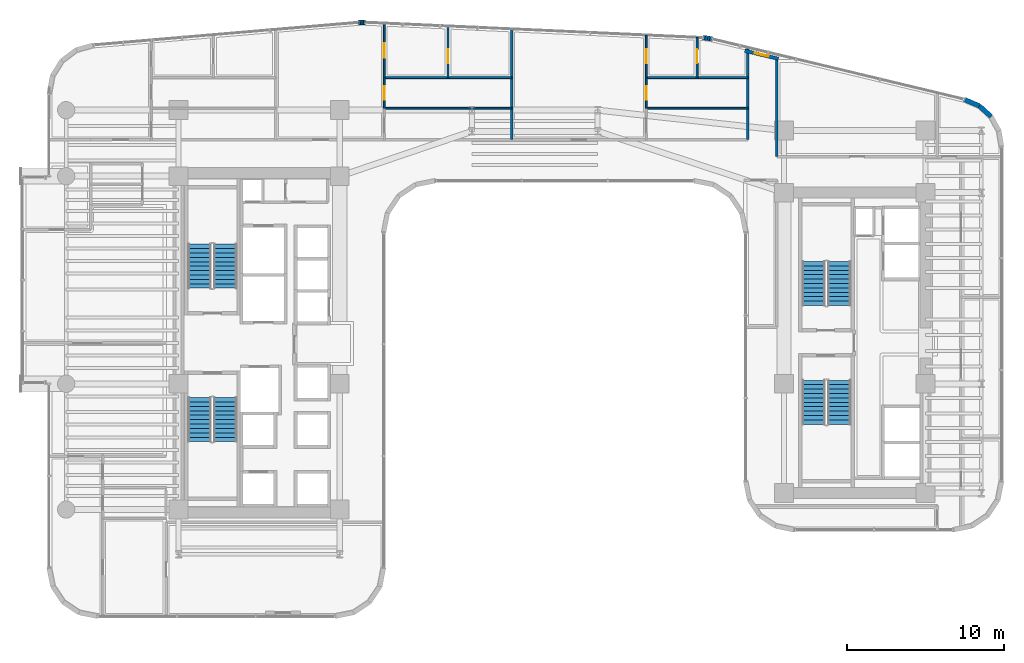
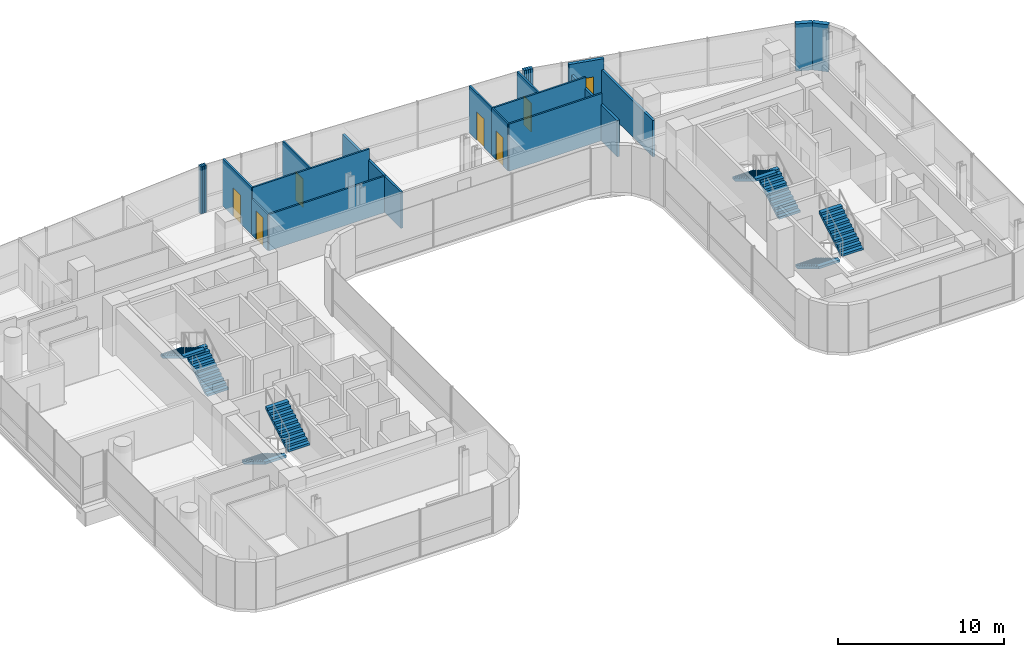
# One storey, part 30 of 35: 24 walls, 8 stair flights, 6 doors, 1 window, 7 openings, 4 elements without a shape of their own.
"""IFC4 building model written with IfcOpenShell, lengths in metres."""

from ifc_helpers import new_model, si_unit, direction, frame, frame_2d, origin, place, context, subcontext, project, spatial, polyline, rectangle, outline, extrude, material, layer, layer_set, type_object, element, fill, aggregate, save


model = new_model("IFC4")

# Units and contexts
model_context = context("Model", 3, precision=1e-05, world=origin(), true_north=direction((0.0, 1.0)))
body_context = subcontext(model_context, "Body", "Model", "MODEL_VIEW")
ifc_project = project(units=[si_unit("LENGTHUNIT", "METRE"), si_unit("AREAUNIT", "SQUARE_METRE"), si_unit("VOLUMEUNIT", "CUBIC_METRE"), si_unit("PLANEANGLEUNIT", "RADIAN"), si_unit("MASSUNIT", "GRAM", prefix="KILO")], contexts=[model_context])

# Site, building, storey
site_placement = place(None, origin())
site = spatial("IfcSite", under=ifc_project, at=site_placement, CompositionType="ELEMENT")
building_placement = place(site_placement, origin())
building = spatial("IfcBuilding", under=site, at=building_placement, Name="Valdorenza Pilgrim Sanctuary Tower", CompositionType="ELEMENT")
storey_placement = place(building_placement, frame((0.0, 0.0, 105.699951171875)))
storey = spatial("IfcBuildingStorey", under=building, at=storey_placement, Name="L26", CompositionType="ELEMENT", Elevation=105.699951171875)

# Walls
ifc_material_1 = material(Name="Acoustic twin-stud gypsum partition", Category="gypsum")
ifc_layer_1 = layer(ifc_material_1, 0.159912109375, Name="Acoustic twin-stud gypsum partition")
ifc_layer_set_1 = layer_set([ifc_layer_1], Name="Acoustic twin-stud gypsum partition")
wall_type_1 = type_object("IfcWallType", Name="WAL-COR-160", PredefinedType="PARTITIONING", material=ifc_layer_set_1)
wall_1_placement = place(storey_placement, frame((13.550048828125, 12.919921875, 0.0), z_axis=(0.0, 0.0, 1.0), x_axis=(0.0, 1.0, 0.0)))
element("IfcWall", 1, at=wall_1_placement, inside=storey, type_object=wall_type_1, Name="L26 North Band East Closure", PredefinedType="PARTITIONING", context=body_context, shape_type="SweptSolid", body=[
    extrude(rectangle(XDim=5.856689453125, YDim=0.159912109375, at=frame_2d((2.92822265625, 0.0))), origin(), (0.0, 0.0, 1.0), 2.666015625),
])
wall_2_placement = place(storey_placement, frame((15.39990234375, 11.85009765625, 0.0), z_axis=(0.0, 0.0, 1.0), x_axis=(0.0, 1.0, 0.0)))
element("IfcWall", 2, at=wall_2_placement, inside=storey, type_object=wall_type_1, Name="L26 Wing B North West Wall", PredefinedType="PARTITIONING", context=body_context, shape_type="SweptSolid", body=[
    extrude(rectangle(XDim=6.14990234375, YDim=0.159912109375, at=frame_2d((3.074951171875, 0.0))), origin(), (0.0, 0.0, 1.0), 2.666015625),
])
ifc_material_2 = material(Name="Honed travertine limestone", Category="masonry")
ifc_layer_2 = layer(ifc_material_2, 0.300048828125, Name="Honed travertine limestone")
ifc_layer_set_2 = layer_set([ifc_layer_2], Name="Honed travertine limestone")
wall_type_2 = type_object("IfcWallType", Name="WAL-EXT-300", PredefinedType="SOLIDWALL", material=ifc_layer_set_2)
wall_3_placement = place(storey_placement, frame((-11.199462890625, 20.37255859375, 0.0), z_axis=(0.0, 0.0, 1.0), x_axis=(0.997567332166, 0.069709524416, 0.0)))
element("IfcWall", 3, at=wall_3_placement, inside=storey, type_object=wall_type_2, Name="L26 Rounded Wind-Corner Stone Pier 7", PredefinedType="SOLIDWALL", context=body_context, shape_type="SweptSolid", body=[
    extrude(rectangle(XDim=0.1015625, YDim=0.300048828125, at=frame_2d((0.05078125, 0.0))), origin(), (0.0, 0.0, 1.0), 3.4599609375),
])
wall_4_placement = place(storey_placement, frame((-11.09814453125, 20.379638671875, 0.0), z_axis=(0.0, 0.0, 1.0), x_axis=(0.999334672785, 0.03647206835, 0.0)))
element("IfcWall", 4, at=wall_4_placement, inside=storey, type_object=wall_type_2, Name="L26 Rounded Wind-Corner Stone Pier 8", PredefinedType="SOLIDWALL", context=body_context, shape_type="SweptSolid", body=[
    extrude(rectangle(XDim=0.100341796875, YDim=0.300048828125, at=frame_2d((0.05029296875, 0.0))), origin(), (0.0, 0.0, 1.0), 3.4599609375),
])
wall_5_placement = place(storey_placement, frame((-10.997802734375, 20.38330078125, 0.0), z_axis=(0.0, 0.0, 1.0), x_axis=(0.999997054401, 0.002427177317, 0.0)))
element("IfcWall", 5, at=wall_5_placement, inside=storey, type_object=wall_type_2, Name="L26 Rounded Wind-Corner Stone Pier 9", PredefinedType="SOLIDWALL", context=body_context, shape_type="SweptSolid", body=[
    extrude(rectangle(XDim=0.1005859375, YDim=0.300048828125, at=frame_2d((0.05029296875, 0.0))), origin(), (0.0, 0.0, 1.0), 3.4599609375),
])
wall_6_placement = place(storey_placement, frame((-10.897216796875, 20.383544921875, 0.0), z_axis=(0.0, 0.0, 1.0), x_axis=(0.999584209171, -0.02883415988, 0.0)))
element("IfcWall", 6, at=wall_6_placement, inside=storey, type_object=wall_type_2, Name="L26 Rounded Wind-Corner Stone Pier 10", PredefinedType="SOLIDWALL", context=body_context, shape_type="SweptSolid", body=[
    extrude(rectangle(XDim=0.1015625, YDim=0.300048828125, at=frame_2d((0.05078125, 0.0))), origin(), (0.0, 0.0, 1.0), 3.4599609375),
])
wall_7_placement = place(storey_placement, frame((10.68994140625, 19.404052734375, 0.0), z_axis=(0.0, 0.0, 1.0), x_axis=(0.99758310784, -0.069483400546, 0.0)))
element("IfcWall", 7, at=wall_7_placement, inside=storey, type_object=wall_type_2, Name="L26 Rounded Wind-Corner Stone Pier 12", PredefinedType="SOLIDWALL", context=body_context, shape_type="SweptSolid", body=[
    extrude(rectangle(XDim=0.1474609375, YDim=0.300048828125, at=frame_2d((0.07373046875, 0.0))), origin(), (0.0, 0.0, 1.0), 3.4599609375),
])
for number, where, z_axis, x_axis, name in (
    (8, (10.837158203125, 19.393798828125, 0.0), (0.0, 0.0, 1.0), (0.993173334962, -0.116647874912, 0.0), "L26 Rounded Wind-Corner Stone Pier 13"),
    (9, (10.982666015625, 19.376708984375, 0.0), (0.0, 0.0, 1.0), (0.986573494681, -0.163317909592, 0.0), "L26 Rounded Wind-Corner Stone Pier 14"),
):
    element("IfcWall", number, at=place(storey_placement, frame(where, z_axis=z_axis, x_axis=x_axis)), inside=storey, type_object=wall_type_2, Name=name, PredefinedType="SOLIDWALL", context=body_context, shape_type="SweptSolid", body=[
        extrude(rectangle(XDim=0.146484375, YDim=0.300048828125, at=frame_2d((0.0732421875, 0.0))), origin(), (0.0, 0.0, 1.0), 3.4599609375),
    ])
wall_8_placement = place(storey_placement, frame((11.127197265625, 19.352783203125, 0.0), z_axis=(0.0, 0.0, 1.0), x_axis=(0.978019841688, -0.208511844421, 0.0)))
element("IfcWall", 10, at=wall_8_placement, inside=storey, type_object=wall_type_2, Name="L26 Rounded Wind-Corner Stone Pier 15", PredefinedType="SOLIDWALL", context=body_context, shape_type="SweptSolid", body=[
    extrude(rectangle(XDim=0.1474609375, YDim=0.300048828125, at=frame_2d((0.07373046875, 0.0))), origin(), (0.0, 0.0, 1.0), 3.4599609375),
])

# Wall, opening, window
wall_9_placement = place(storey_placement, frame((13.355224609375, 18.576416015625, 0.0), z_axis=(0.0, 0.0, 1.0), x_axis=(0.97252211384, -0.232810519721, 0.0)))
wall_9 = element("IfcWall", 11, at=wall_9_placement, inside=storey, type_object=wall_type_2, Name="L26 Operable Ventilation Sash Jamb Pier", PredefinedType="SOLIDWALL", context=body_context, shape_type="SweptSolid", body=[
    extrude(rectangle(XDim=2.2001953125, YDim=0.219970703125, at=frame_2d((1.10009765625, 0.0))), origin(), (0.0, 0.0, 1.0), 3.4599609375),
])
opening_1_placement = place(wall_9_placement, frame((0.64990234375, 0.0, 0.949951171875)))
opening_1 = element("IfcOpeningElement", 12, at=opening_1_placement, cuts=wall_9, Name="Opening WN-OP1", PredefinedType="OPENING", context=body_context, shape_type="SweptSolid", body=[
    extrude(rectangle(XDim=0.89990234375, YDim=1.300048828125, at=frame_2d((0.449951171875, 0.64990234375))), frame((0.0, 0.125, 0.0), z_axis=(0.0, -1.0, 0.0), x_axis=(1.0, 0.0, 0.0)), (0.0, 0.0, 1.0), 0.249755859375),
])
ifc_material_3 = material(Name="Ceramic-fritted low-E IGU glazing", Category="glass")
window_type = type_object("IfcWindowType", Name="WIN-OPN-900", PartitioningType="SINGLE_PANEL", PredefinedType="WINDOW", material=ifc_material_3)
window_placement = place(opening_1_placement, origin())
window = element("IfcWindow", 13, at=window_placement, inside=storey, type_object=window_type, Name="L26 Parallel-Pop-Out Operable Facade Panel", OverallHeight=1.300048828125, OverallWidth=0.89990234375, PartitioningType="SINGLE_PANEL", PredefinedType="WINDOW", context=body_context, shape_type="SweptSolid", body=[
    extrude(rectangle(XDim=0.89990234375, YDim=1.300048828125, at=frame_2d((0.449951171875, 0.64990234375))), frame((0.0, 0.030029296875, 0.0), z_axis=(0.0, -1.0, 0.0), x_axis=(1.0, 0.0, 0.0)), (0.0, 0.0, 1.0), 0.06005859375),
])
fill(opening_1, window)

# Walls
wall_10_placement = place(storey_placement, frame((27.310302734375, 15.48291015625, 0.0), z_axis=(0.0, 0.0, 1.0), x_axis=(0.920250328759, -0.391330208927, 0.0)))
element("IfcWall", 14, at=wall_10_placement, inside=storey, type_object=wall_type_2, Name="L26 Rounded Wind-Corner Stone Pier 17", PredefinedType="SOLIDWALL", context=body_context, shape_type="SweptSolid", body=[
    extrude(rectangle(XDim=1.0361328125, YDim=0.300048828125, at=frame_2d((0.51806640625, 0.0))), origin(), (0.0, 0.0, 1.0), 3.4599609375),
])
wall_11_placement = place(storey_placement, frame((28.263916015625, 15.077392578125, 0.0), z_axis=(0.0, 0.0, 1.0), x_axis=(0.741208839713, -0.671274501178, 0.0)))
element("IfcWall", 15, at=wall_11_placement, inside=storey, type_object=wall_type_2, Name="L26 Rounded Wind-Corner Stone Pier 18", PredefinedType="SOLIDWALL", context=body_context, shape_type="SweptSolid", body=[
    extrude(rectangle(XDim=1.0263671875, YDim=0.300048828125, at=frame_2d((0.51318359375, 0.0))), origin(), (0.0, 0.0, 1.0), 3.4599609375),
])
ifc_material_4 = material(Name="Moisture-resistant gypsum partition", Category="gypsum")
ifc_layer_3 = layer(ifc_material_4, 0.1201171875, Name="Moisture-resistant gypsum partition")
ifc_layer_set_3 = layer_set([ifc_layer_3], Name="Moisture-resistant gypsum partition")
wall_type_3 = type_object("IfcWallType", Name="WAL-INT-120", PredefinedType="PARTITIONING", material=ifc_layer_set_3)
wall_12_placement = place(storey_placement, frame((-9.57568359375, 14.919921875, 0.0), z_axis=(0.0, 0.0, 1.0), x_axis=(1.0, 0.0, 0.0)))
element("IfcWall", 16, at=wall_12_placement, inside=storey, type_object=wall_type_3, Name="L26 North Family Flat L26-N2 Bath-Kitchen Wall", PredefinedType="PARTITIONING", context=body_context, shape_type="SweptSolid", body=[
    extrude(rectangle(XDim=8.108642578125, YDim=0.1201171875, at=frame_2d((4.05419921875, 0.0))), origin(), (0.0, 0.0, 1.0), 2.666015625),
])
wall_13_placement = place(storey_placement, frame((-9.57568359375, 16.8701171875, 0.0), z_axis=(0.0, 0.0, 1.0), x_axis=(1.0, 0.0, 0.0)))
element("IfcWall", 17, at=wall_13_placement, inside=storey, type_object=wall_type_3, Name="L26 North Family Flat L26-N2 Kitchen-Bedroom Wall", PredefinedType="PARTITIONING", context=body_context, shape_type="SweptSolid", body=[
    extrude(rectangle(XDim=8.108642578125, YDim=0.1201171875, at=frame_2d((4.05419921875, 0.0))), origin(), (0.0, 0.0, 1.0), 3.4599609375),
])

# Wall, opening, door
wall_14_placement = place(storey_placement, frame((-9.57568359375, 14.919921875, 0.0), z_axis=(0.0, 0.0, 1.0), x_axis=(0.0, 1.0, 0.0)))
wall_14 = element("IfcWall", 18, at=wall_14_placement, inside=storey, type_object=wall_type_3, Name="L26 North Family Flat L26-N2 Bathroom Door Wall", PredefinedType="PARTITIONING", context=body_context, shape_type="SweptSolid", body=[
    extrude(rectangle(XDim=1.9501953125, YDim=0.1201171875, at=frame_2d((0.97509765625, 0.0))), origin(), (0.0, 0.0, 1.0), 2.666015625),
])
opening_2_placement = place(wall_14_placement, frame((0.550048828125, 0.0, 0.0)))
opening_2 = element("IfcOpeningElement", 19, at=opening_2_placement, cuts=wall_14, Name="Opening DR-WC1", PredefinedType="OPENING", context=body_context, shape_type="SweptSolid", body=[
    extrude(rectangle(XDim=0.85009765625, YDim=2.10009765625, at=frame_2d((0.425048828125, 1.050048828125))), frame((0.0, 0.074951171875, 0.0), z_axis=(0.0, -1.0, 0.0), x_axis=(1.0, 0.0, 0.0)), (0.0, 0.0, 1.0), 0.14990234375),
])
ifc_material_5 = material(Name="Moisture-resistant lacquered timber", Category="wood")
door_type_1 = type_object("IfcDoorType", Name="DR-BATH-850", OperationType="NOTDEFINED", PredefinedType="DOOR", material=ifc_material_5)
door_1_placement = place(opening_2_placement, origin())
door_1 = element("IfcDoor", 20, at=door_1_placement, inside=storey, type_object=door_type_1, Name="L26 North Family Flat L26-N2 Bathroom Door", OperationType="SINGLE_SWING_LEFT", OverallHeight=2.10009765625, OverallWidth=0.85009765625, PredefinedType="DOOR", context=body_context, shape_type="SweptSolid", body=[
    extrude(rectangle(XDim=0.85009765625, YDim=2.10009765625, at=frame_2d((0.425048828125, 1.050048828125))), frame((0.0, 0.02490234375, 0.0), z_axis=(0.0, -1.0, 0.0), x_axis=(1.0, 0.0, 0.0)), (0.0, 0.0, 1.0), 0.050048828125),
])
fill(opening_2, door_1)

wall_15_placement = place(storey_placement, frame((-9.57568359375, 16.8701171875, 0.0), z_axis=(0.0, 0.0, 1.0), x_axis=(0.0, 1.0, 0.0)))
wall_15 = element("IfcWall", 21, at=wall_15_placement, inside=storey, type_object=wall_type_3, Name="L26 North Family Flat L26-N2 Bedroom Door Wall", PredefinedType="PARTITIONING", context=body_context, shape_type="SweptSolid", body=[
    extrude(rectangle(XDim=3.455078125, YDim=0.1201171875, at=frame_2d((1.7275390625, 0.0))), origin(), (0.0, 0.0, 1.0), 3.4599609375),
])
opening_3_placement = place(wall_15_placement, frame((1.278076171875, 0.0, 0.0)))
opening_3 = element("IfcOpeningElement", 22, at=opening_3_placement, cuts=wall_15, Name="Opening DR-RM1", PredefinedType="OPENING", context=body_context, shape_type="SweptSolid", body=[
    extrude(rectangle(XDim=0.89990234375, YDim=2.10009765625, at=frame_2d((0.449951171875, 1.050048828125))), frame((0.0, 0.074951171875, 0.0), z_axis=(0.0, -1.0, 0.0), x_axis=(1.0, 0.0, 0.0)), (0.0, 0.0, 1.0), 0.14990234375),
])
ifc_material_6 = material(Name="Solid-core European oak timber", Category="wood")
door_type_2 = type_object("IfcDoorType", Name="DR-ROOM-900", OperationType="NOTDEFINED", PredefinedType="DOOR", material=ifc_material_6)
door_2_placement = place(opening_3_placement, frame((0.89990234375, 0.0, 0.0), z_axis=(0.0, 0.0, 1.0), x_axis=(-1.0, 0.0, 0.0)))
door_2 = element("IfcDoor", 23, at=door_2_placement, inside=storey, type_object=door_type_2, Name="L26 North Family Flat L26-N2 Bedroom 1 Door", OperationType="SINGLE_SWING_LEFT", OverallHeight=2.10009765625, OverallWidth=0.89990234375, PredefinedType="DOOR", context=body_context, shape_type="SweptSolid", body=[
    extrude(rectangle(XDim=0.89990234375, YDim=2.10009765625, at=frame_2d((0.449951171875, 1.050048828125))), frame((0.0, 0.02490234375, 0.0), z_axis=(0.0, -1.0, 0.0), x_axis=(1.0, 0.0, 0.0)), (0.0, 0.0, 1.0), 0.050048828125),
])
fill(opening_3, door_2)

wall_16_placement = place(storey_placement, frame((-5.521240234375, 16.8701171875, 0.0), z_axis=(0.0, 0.0, 1.0), x_axis=(0.0, 1.0, 0.0)))
wall_16 = element("IfcWall", 24, at=wall_16_placement, inside=storey, type_object=wall_type_3, Name="L26 North Family Flat L26-N2 Bedroom 2 Wall", PredefinedType="PARTITIONING", context=body_context, shape_type="SweptSolid", body=[
    extrude(rectangle(XDim=3.270751953125, YDim=0.1201171875, at=frame_2d((1.63525390625, 0.0))), origin(), (0.0, 0.0, 1.0), 3.4599609375),
])
opening_4_placement = place(wall_16_placement, frame((0.89990234375, 0.0, 0.0)))
opening_4 = element("IfcOpeningElement", 25, at=opening_4_placement, cuts=wall_16, Name="Opening DR-RM1", PredefinedType="OPENING", context=body_context, shape_type="SweptSolid", body=[
    extrude(rectangle(XDim=0.89990234375, YDim=2.10009765625, at=frame_2d((0.449951171875, 1.050048828125))), frame((0.0, 0.074951171875, 0.0), z_axis=(0.0, -1.0, 0.0), x_axis=(1.0, 0.0, 0.0)), (0.0, 0.0, 1.0), 0.14990234375),
])
door_3_placement = place(opening_4_placement, origin())
door_3 = element("IfcDoor", 26, at=door_3_placement, inside=storey, type_object=door_type_2, Name="L26 North Family Flat L26-N2 Bedroom 2 Door", OperationType="SINGLE_SWING_RIGHT", OverallHeight=2.10009765625, OverallWidth=0.89990234375, PredefinedType="DOOR", context=body_context, shape_type="SweptSolid", body=[
    extrude(rectangle(XDim=0.89990234375, YDim=2.10009765625, at=frame_2d((0.449951171875, 1.050048828125))), frame((0.0, 0.02490234375, 0.0), z_axis=(0.0, -1.0, 0.0), x_axis=(1.0, 0.0, 0.0)), (0.0, 0.0, 1.0), 0.050048828125),
])
fill(opening_4, door_3)

# Walls
for number, where, z_axis, x_axis, name in (
    (27, (7.0908203125, 14.919921875, 0.0), (0.0, 0.0, 1.0), (1.0, 0.0, 0.0), "L26 North Family Flat L26-N3 Bath-Kitchen Wall"),
    (28, (7.0908203125, 16.8701171875, 0.0), (0.0, 0.0, 1.0), (1.0, 0.0, 0.0), "L26 North Family Flat L26-N3 Kitchen-Bedroom Wall"),
):
    element("IfcWall", number, at=place(storey_placement, frame(where, z_axis=z_axis, x_axis=x_axis)), inside=storey, type_object=wall_type_3, Name=name, PredefinedType="PARTITIONING", context=body_context, shape_type="SweptSolid", body=[
        extrude(rectangle(XDim=6.459228515625, YDim=0.1201171875, at=frame_2d((3.2294921875, 0.0))), origin(), (0.0, 0.0, 1.0), 3.4599609375),
    ])

# Wall, opening, door
wall_17_placement = place(storey_placement, frame((7.0908203125, 14.919921875, 0.0), z_axis=(0.0, 0.0, 1.0), x_axis=(0.0, 1.0, 0.0)))
wall_17 = element("IfcWall", 29, at=wall_17_placement, inside=storey, type_object=wall_type_3, Name="L26 North Family Flat L26-N3 Bathroom Door Wall", PredefinedType="PARTITIONING", context=body_context, shape_type="SweptSolid", body=[
    extrude(rectangle(XDim=1.9501953125, YDim=0.1201171875, at=frame_2d((0.97509765625, 0.0))), origin(), (0.0, 0.0, 1.0), 3.4599609375),
])
opening_5_placement = place(wall_17_placement, frame((0.550048828125, 0.0, 0.0)))
opening_5 = element("IfcOpeningElement", 30, at=opening_5_placement, cuts=wall_17, Name="Opening DR-WC1", PredefinedType="OPENING", context=body_context, shape_type="SweptSolid", body=[
    extrude(rectangle(XDim=0.85009765625, YDim=2.10009765625, at=frame_2d((0.425048828125, 1.050048828125))), frame((0.0, 0.074951171875, 0.0), z_axis=(0.0, -1.0, 0.0), x_axis=(1.0, 0.0, 0.0)), (0.0, 0.0, 1.0), 0.14990234375),
])
door_4_placement = place(opening_5_placement, origin())
door_4 = element("IfcDoor", 31, at=door_4_placement, inside=storey, type_object=door_type_1, Name="L26 North Family Flat L26-N3 Bathroom Door", OperationType="SINGLE_SWING_RIGHT", OverallHeight=2.10009765625, OverallWidth=0.85009765625, PredefinedType="DOOR", context=body_context, shape_type="SweptSolid", body=[
    extrude(rectangle(XDim=0.85009765625, YDim=2.10009765625, at=frame_2d((0.425048828125, 1.050048828125))), frame((0.0, 0.02490234375, 0.0), z_axis=(0.0, -1.0, 0.0), x_axis=(1.0, 0.0, 0.0)), (0.0, 0.0, 1.0), 0.050048828125),
])
fill(opening_5, door_4)

wall_18_placement = place(storey_placement, frame((7.0908203125, 16.8701171875, 0.0), z_axis=(0.0, 0.0, 1.0), x_axis=(0.0, 1.0, 0.0)))
wall_18 = element("IfcWall", 32, at=wall_18_placement, inside=storey, type_object=wall_type_3, Name="L26 North Family Flat L26-N3 Bedroom Door Wall", PredefinedType="PARTITIONING", context=body_context, shape_type="SweptSolid", body=[
    extrude(rectangle(XDim=2.697509765625, YDim=0.1201171875, at=frame_2d((1.3486328125, 0.0))), origin(), (0.0, 0.0, 1.0), 3.4599609375),
])
opening_6_placement = place(wall_18_placement, frame((0.89892578125, 0.0, 0.0)))
opening_6 = element("IfcOpeningElement", 33, at=opening_6_placement, cuts=wall_18, Name="Opening DR-RM1", PredefinedType="OPENING", context=body_context, shape_type="SweptSolid", body=[
    extrude(rectangle(XDim=0.89990234375, YDim=2.10009765625, at=frame_2d((0.449951171875, 1.050048828125))), frame((0.0, 0.074951171875, 0.0), z_axis=(0.0, -1.0, 0.0), x_axis=(1.0, 0.0, 0.0)), (0.0, 0.0, 1.0), 0.14990234375),
])
door_5_placement = place(opening_6_placement, origin())
door_5 = element("IfcDoor", 34, at=door_5_placement, inside=storey, type_object=door_type_2, Name="L26 North Family Flat L26-N3 Bedroom 1 Door", OperationType="SINGLE_SWING_RIGHT", OverallHeight=2.10009765625, OverallWidth=0.89990234375, PredefinedType="DOOR", context=body_context, shape_type="SweptSolid", body=[
    extrude(rectangle(XDim=0.89990234375, YDim=2.10009765625, at=frame_2d((0.449951171875, 1.050048828125))), frame((0.0, 0.02490234375, 0.0), z_axis=(0.0, -1.0, 0.0), x_axis=(1.0, 0.0, 0.0)), (0.0, 0.0, 1.0), 0.050048828125),
])
fill(opening_6, door_5)

wall_19_placement = place(storey_placement, frame((10.3203125, 16.8701171875, 0.0), z_axis=(0.0, 0.0, 1.0), x_axis=(0.0, 1.0, 0.0)))
wall_19 = element("IfcWall", 35, at=wall_19_placement, inside=storey, type_object=wall_type_3, Name="L26 North Family Flat L26-N3 Bedroom 2 Wall", PredefinedType="PARTITIONING", context=body_context, shape_type="SweptSolid", body=[
    extrude(rectangle(XDim=2.55078125, YDim=0.1201171875, at=frame_2d((1.275390625, 0.0))), origin(), (0.0, 0.0, 1.0), 3.4599609375),
])
opening_7_placement = place(wall_19_placement, frame((0.89990234375, 0.0, 0.0)))
opening_7 = element("IfcOpeningElement", 36, at=opening_7_placement, cuts=wall_19, Name="Opening DR-RM1", PredefinedType="OPENING", context=body_context, shape_type="SweptSolid", body=[
    extrude(rectangle(XDim=0.89990234375, YDim=2.10009765625, at=frame_2d((0.449951171875, 1.050048828125))), frame((0.0, 0.074951171875, 0.0), z_axis=(0.0, -1.0, 0.0), x_axis=(1.0, 0.0, 0.0)), (0.0, 0.0, 1.0), 0.14990234375),
])
door_6_placement = place(opening_7_placement, frame((0.89990234375, 0.0, 0.0), z_axis=(0.0, 0.0, 1.0), x_axis=(-1.0, 0.0, 0.0)))
door_6 = element("IfcDoor", 37, at=door_6_placement, inside=storey, type_object=door_type_2, Name="L26 North Family Flat L26-N3 Bedroom 2 Door", OperationType="SINGLE_SWING_LEFT", OverallHeight=2.10009765625, OverallWidth=0.89990234375, PredefinedType="DOOR", context=body_context, shape_type="SweptSolid", body=[
    extrude(rectangle(XDim=0.89990234375, YDim=2.10009765625, at=frame_2d((0.449951171875, 1.050048828125))), frame((0.0, 0.02490234375, 0.0), z_axis=(0.0, -1.0, 0.0), x_axis=(1.0, 0.0, 0.0)), (0.0, 0.0, 1.0), 0.050048828125),
])
fill(opening_7, door_6)

# Wall
ifc_layer_4 = layer(ifc_material_1, 0.14990234375, Name="Acoustic twin-stud gypsum partition")
ifc_layer_set_4 = layer_set([ifc_layer_4], Name="Acoustic twin-stud gypsum partition")
wall_type_4 = type_object("IfcWallType", Name="WAL-UNT-150", PredefinedType="PARTITIONING", material=ifc_layer_set_4)
wall_20_placement = place(storey_placement, frame((-1.467041015625, 12.919921875, 0.0), z_axis=(0.0, 0.0, 1.0), x_axis=(0.0, 1.0, 0.0)))
element("IfcWall", 38, at=wall_20_placement, inside=storey, type_object=wall_type_4, Name="L26 North Flat Demising 2", PredefinedType="PARTITIONING", context=body_context, shape_type="SweptSolid", body=[
    extrude(rectangle(XDim=7.03662109375, YDim=0.14990234375, at=frame_2d((3.518310546875, 0.0))), origin(), (0.0, 0.0, 1.0), 2.666015625),
])

# Stair, stair flights
ifc_material_7 = material(Name="Concrete C40/50", Category="concrete")
stair_type = type_object("IfcStairType", Name="STR-DOG-CORE", PredefinedType="HALF_TURN_STAIR", material=ifc_material_7)
stair_1_placement = place(storey_placement, origin())
stair_1 = element("IfcStair", 39, at=stair_1_placement, inside=storey, type_object=stair_type, Name="L26 ST-A1", PredefinedType="HALF_TURN_STAIR")
stair_flight_type = type_object("IfcStairFlightType", Name="STF-RC-1400", PredefinedType="STRAIGHT", material=ifc_material_7)
stair_flight_1_placement = place(storey_placement, frame((-19.679931640625, 3.47998046875, 0.0), z_axis=(0.0, 0.0, 1.0), x_axis=(0.0, 1.0, 0.0)))
stair_flight_1 = element("IfcStairFlight", 40, at=stair_flight_1_placement, type_object=stair_flight_type, Name="ST-A1 flight 1", NumberOfRisers=11, NumberOfTreads=10, PredefinedType="STRAIGHT", RiserHeight=0.168181818, TreadLength=0.28, context=body_context, shape_type="SweptSolid", body=[
    extrude(outline(polyline([(0.0, 0.0), (0.0, 0.168212890625), (0.280029296875, 0.168212890625), (0.280029296875, 0.33642578125), (0.56005859375, 0.33642578125), (0.56005859375, 0.504638671875), (0.840087890625, 0.504638671875), (0.840087890625, 0.672607421875), (1.1201171875, 0.672607421875), (1.1201171875, 0.8408203125), (1.39990234375, 0.8408203125), (1.39990234375, 1.009033203125), (1.679931640625, 1.009033203125), (1.679931640625, 1.17724609375), (1.9599609375, 1.17724609375), (1.9599609375, 1.345458984375), (2.239990234375, 1.345458984375), (2.239990234375, 1.513671875), (2.52001953125, 1.513671875), (2.52001953125, 1.681884765625), (2.800048828125, 1.681884765625), (2.800048828125, 1.85009765625), (2.800048828125, 1.5068359375), (0.291015625, 0.0), (0.0, 0.0)])), frame((0.0, 0.739990234375, 0.0), z_axis=(0.0, -1.0, 0.0), x_axis=(1.0, 0.0, 0.0)), (0.0, 0.0, 1.0), 1.47998046875),
])
stair_flight_2_placement = place(storey_placement, frame((-21.31005859375, 6.280029296875, 1.85009765625), z_axis=(0.0, 0.0, 1.0), x_axis=(0.0, -1.0, 0.0)))
stair_flight_2 = element("IfcStairFlight", 41, at=stair_flight_2_placement, type_object=stair_flight_type, Name="ST-A1 flight 2", NumberOfRisers=11, NumberOfTreads=10, PredefinedType="STRAIGHT", RiserHeight=0.168181818, TreadLength=0.28, context=body_context, shape_type="SweptSolid", body=[
    extrude(outline(polyline([(0.0, 0.0), (0.0, 0.168212890625), (0.280029296875, 0.168212890625), (0.280029296875, 0.33642578125), (0.56005859375, 0.33642578125), (0.56005859375, 0.504638671875), (0.840087890625, 0.504638671875), (0.840087890625, 0.672607421875), (1.1201171875, 0.672607421875), (1.1201171875, 0.8408203125), (1.39990234375, 0.8408203125), (1.39990234375, 1.009033203125), (1.679931640625, 1.009033203125), (1.679931640625, 1.17724609375), (1.9599609375, 1.17724609375), (1.9599609375, 1.345458984375), (2.239990234375, 1.345458984375), (2.239990234375, 1.513671875), (2.52001953125, 1.513671875), (2.52001953125, 1.681884765625), (2.800048828125, 1.681884765625), (2.800048828125, 1.85009765625), (2.800048828125, 1.5068359375), (0.291015625, 0.0), (0.0, 0.0)])), frame((0.0, 0.739990234375, 0.0), z_axis=(0.0, -1.0, 0.0), x_axis=(1.0, 0.0, 0.0)), (0.0, 0.0, 1.0), 1.47998046875),
])
aggregate(stair_1, [stair_flight_1, stair_flight_2])

stair_2_placement = place(storey_placement, origin())
stair_2 = element("IfcStair", 42, at=stair_2_placement, inside=storey, type_object=stair_type, Name="L26 ST-A2", PredefinedType="HALF_TURN_STAIR")
stair_flight_3_placement = place(storey_placement, frame((-21.31005859375, -3.47998046875, 0.0), z_axis=(0.0, 0.0, 1.0), x_axis=(0.0, -1.0, 0.0)))
stair_flight_3 = element("IfcStairFlight", 43, at=stair_flight_3_placement, type_object=stair_flight_type, Name="ST-A2 flight 1", NumberOfRisers=11, NumberOfTreads=10, PredefinedType="STRAIGHT", RiserHeight=0.168181818, TreadLength=0.28, context=body_context, shape_type="SweptSolid", body=[
    extrude(outline(polyline([(0.0, 0.0), (0.0, 0.168212890625), (0.280029296875, 0.168212890625), (0.280029296875, 0.33642578125), (0.56005859375, 0.33642578125), (0.56005859375, 0.504638671875), (0.840087890625, 0.504638671875), (0.840087890625, 0.672607421875), (1.1201171875, 0.672607421875), (1.1201171875, 0.8408203125), (1.39990234375, 0.8408203125), (1.39990234375, 1.009033203125), (1.679931640625, 1.009033203125), (1.679931640625, 1.17724609375), (1.9599609375, 1.17724609375), (1.9599609375, 1.345458984375), (2.239990234375, 1.345458984375), (2.239990234375, 1.513671875), (2.52001953125, 1.513671875), (2.52001953125, 1.681884765625), (2.800048828125, 1.681884765625), (2.800048828125, 1.85009765625), (2.800048828125, 1.5068359375), (0.291015625, 0.0), (0.0, 0.0)])), frame((0.0, 0.739990234375, 0.0), z_axis=(0.0, -1.0, 0.0), x_axis=(1.0, 0.0, 0.0)), (0.0, 0.0, 1.0), 1.47998046875),
])
stair_flight_4_placement = place(storey_placement, frame((-19.679931640625, -6.280029296875, 1.85009765625), z_axis=(0.0, 0.0, 1.0), x_axis=(0.0, 1.0, 0.0)))
stair_flight_4 = element("IfcStairFlight", 44, at=stair_flight_4_placement, type_object=stair_flight_type, Name="ST-A2 flight 2", NumberOfRisers=11, NumberOfTreads=10, PredefinedType="STRAIGHT", RiserHeight=0.168181818, TreadLength=0.28, context=body_context, shape_type="SweptSolid", body=[
    extrude(outline(polyline([(0.0, 0.0), (0.0, 0.168212890625), (0.280029296875, 0.168212890625), (0.280029296875, 0.33642578125), (0.56005859375, 0.33642578125), (0.56005859375, 0.504638671875), (0.840087890625, 0.504638671875), (0.840087890625, 0.672607421875), (1.1201171875, 0.672607421875), (1.1201171875, 0.8408203125), (1.39990234375, 0.8408203125), (1.39990234375, 1.009033203125), (1.679931640625, 1.009033203125), (1.679931640625, 1.17724609375), (1.9599609375, 1.17724609375), (1.9599609375, 1.345458984375), (2.239990234375, 1.345458984375), (2.239990234375, 1.513671875), (2.52001953125, 1.513671875), (2.52001953125, 1.681884765625), (2.800048828125, 1.681884765625), (2.800048828125, 1.85009765625), (2.800048828125, 1.5068359375), (0.291015625, 0.0), (0.0, 0.0)])), frame((0.0, 0.739990234375, 0.0), z_axis=(0.0, -1.0, 0.0), x_axis=(1.0, 0.0, 0.0)), (0.0, 0.0, 1.0), 1.47998046875),
])
aggregate(stair_2, [stair_flight_3, stair_flight_4])

stair_3_placement = place(storey_placement, origin())
stair_3 = element("IfcStair", 45, at=stair_3_placement, inside=storey, type_object=stair_type, Name="L26 ST-B1", PredefinedType="HALF_TURN_STAIR")
stair_flight_5_placement = place(storey_placement, frame((19.3701171875, 2.3798828125, 0.0), z_axis=(0.0, 0.0, 1.0), x_axis=(0.0, 1.0, 0.0)))
stair_flight_5 = element("IfcStairFlight", 46, at=stair_flight_5_placement, type_object=stair_flight_type, Name="ST-B1 flight 1", NumberOfRisers=11, NumberOfTreads=10, PredefinedType="STRAIGHT", RiserHeight=0.168181818, TreadLength=0.28, context=body_context, shape_type="SweptSolid", body=[
    extrude(outline(polyline([(0.0, 0.0), (0.0, 0.168212890625), (0.280029296875, 0.168212890625), (0.280029296875, 0.33642578125), (0.56005859375, 0.33642578125), (0.56005859375, 0.504638671875), (0.840087890625, 0.504638671875), (0.840087890625, 0.672607421875), (1.1201171875, 0.672607421875), (1.1201171875, 0.8408203125), (1.39990234375, 0.8408203125), (1.39990234375, 1.009033203125), (1.679931640625, 1.009033203125), (1.679931640625, 1.17724609375), (1.9599609375, 1.17724609375), (1.9599609375, 1.345458984375), (2.239990234375, 1.345458984375), (2.239990234375, 1.513671875), (2.52001953125, 1.513671875), (2.52001953125, 1.681884765625), (2.800048828125, 1.681884765625), (2.800048828125, 1.85009765625), (2.800048828125, 1.5068359375), (0.291015625, 0.0), (0.0, 0.0)])), frame((0.0, 0.739990234375, 0.0), z_axis=(0.0, -1.0, 0.0), x_axis=(1.0, 0.0, 0.0)), (0.0, 0.0, 1.0), 1.47998046875),
])
stair_flight_6_placement = place(storey_placement, frame((17.739990234375, 5.179931640625, 1.85009765625), z_axis=(0.0, 0.0, 1.0), x_axis=(0.0, -1.0, 0.0)))
stair_flight_6 = element("IfcStairFlight", 47, at=stair_flight_6_placement, type_object=stair_flight_type, Name="ST-B1 flight 2", NumberOfRisers=11, NumberOfTreads=10, PredefinedType="STRAIGHT", RiserHeight=0.168181818, TreadLength=0.28, context=body_context, shape_type="SweptSolid", body=[
    extrude(outline(polyline([(0.0, 0.0), (0.0, 0.168212890625), (0.280029296875, 0.168212890625), (0.280029296875, 0.33642578125), (0.56005859375, 0.33642578125), (0.56005859375, 0.504638671875), (0.840087890625, 0.504638671875), (0.840087890625, 0.672607421875), (1.1201171875, 0.672607421875), (1.1201171875, 0.8408203125), (1.39990234375, 0.8408203125), (1.39990234375, 1.009033203125), (1.679931640625, 1.009033203125), (1.679931640625, 1.17724609375), (1.9599609375, 1.17724609375), (1.9599609375, 1.345458984375), (2.239990234375, 1.345458984375), (2.239990234375, 1.513671875), (2.52001953125, 1.513671875), (2.52001953125, 1.681884765625), (2.800048828125, 1.681884765625), (2.800048828125, 1.85009765625), (2.800048828125, 1.5068359375), (0.291015625, 0.0), (0.0, 0.0)])), frame((0.0, 0.739990234375, 0.0), z_axis=(0.0, -1.0, 0.0), x_axis=(1.0, 0.0, 0.0)), (0.0, 0.0, 1.0), 1.47998046875),
])
aggregate(stair_3, [stair_flight_5, stair_flight_6])

stair_4_placement = place(storey_placement, origin())
stair_4 = element("IfcStair", 48, at=stair_4_placement, inside=storey, type_object=stair_type, Name="L26 ST-B2", PredefinedType="HALF_TURN_STAIR")
stair_flight_7_placement = place(storey_placement, frame((17.739990234375, -2.3798828125, 0.0), z_axis=(0.0, 0.0, 1.0), x_axis=(0.0, -1.0, 0.0)))
stair_flight_7 = element("IfcStairFlight", 49, at=stair_flight_7_placement, type_object=stair_flight_type, Name="ST-B2 flight 1", NumberOfRisers=11, NumberOfTreads=10, PredefinedType="STRAIGHT", RiserHeight=0.168181818, TreadLength=0.28, context=body_context, shape_type="SweptSolid", body=[
    extrude(outline(polyline([(0.0, 0.0), (0.0, 0.168212890625), (0.280029296875, 0.168212890625), (0.280029296875, 0.33642578125), (0.56005859375, 0.33642578125), (0.56005859375, 0.504638671875), (0.840087890625, 0.504638671875), (0.840087890625, 0.672607421875), (1.1201171875, 0.672607421875), (1.1201171875, 0.8408203125), (1.39990234375, 0.8408203125), (1.39990234375, 1.009033203125), (1.679931640625, 1.009033203125), (1.679931640625, 1.17724609375), (1.9599609375, 1.17724609375), (1.9599609375, 1.345458984375), (2.239990234375, 1.345458984375), (2.239990234375, 1.513671875), (2.52001953125, 1.513671875), (2.52001953125, 1.681884765625), (2.800048828125, 1.681884765625), (2.800048828125, 1.85009765625), (2.800048828125, 1.5068359375), (0.291015625, 0.0), (0.0, 0.0)])), frame((0.0, 0.739990234375, 0.0), z_axis=(0.0, -1.0, 0.0), x_axis=(1.0, 0.0, 0.0)), (0.0, 0.0, 1.0), 1.47998046875),
])
stair_flight_8_placement = place(storey_placement, frame((19.3701171875, -5.179931640625, 1.85009765625), z_axis=(0.0, 0.0, 1.0), x_axis=(0.0, 1.0, 0.0)))
stair_flight_8 = element("IfcStairFlight", 50, at=stair_flight_8_placement, type_object=stair_flight_type, Name="ST-B2 flight 2", NumberOfRisers=11, NumberOfTreads=10, PredefinedType="STRAIGHT", RiserHeight=0.168181818, TreadLength=0.28, context=body_context, shape_type="SweptSolid", body=[
    extrude(outline(polyline([(0.0, 0.0), (0.0, 0.168212890625), (0.280029296875, 0.168212890625), (0.280029296875, 0.33642578125), (0.56005859375, 0.33642578125), (0.56005859375, 0.504638671875), (0.840087890625, 0.504638671875), (0.840087890625, 0.672607421875), (1.1201171875, 0.672607421875), (1.1201171875, 0.8408203125), (1.39990234375, 0.8408203125), (1.39990234375, 1.009033203125), (1.679931640625, 1.009033203125), (1.679931640625, 1.17724609375), (1.9599609375, 1.17724609375), (1.9599609375, 1.345458984375), (2.239990234375, 1.345458984375), (2.239990234375, 1.513671875), (2.52001953125, 1.513671875), (2.52001953125, 1.681884765625), (2.800048828125, 1.681884765625), (2.800048828125, 1.85009765625), (2.800048828125, 1.5068359375), (0.291015625, 0.0), (0.0, 0.0)])), frame((0.0, 0.739990234375, 0.0), z_axis=(0.0, -1.0, 0.0), x_axis=(1.0, 0.0, 0.0)), (0.0, 0.0, 1.0), 1.47998046875),
])
aggregate(stair_4, [stair_flight_7, stair_flight_8])

save(model, "model.ifc")
